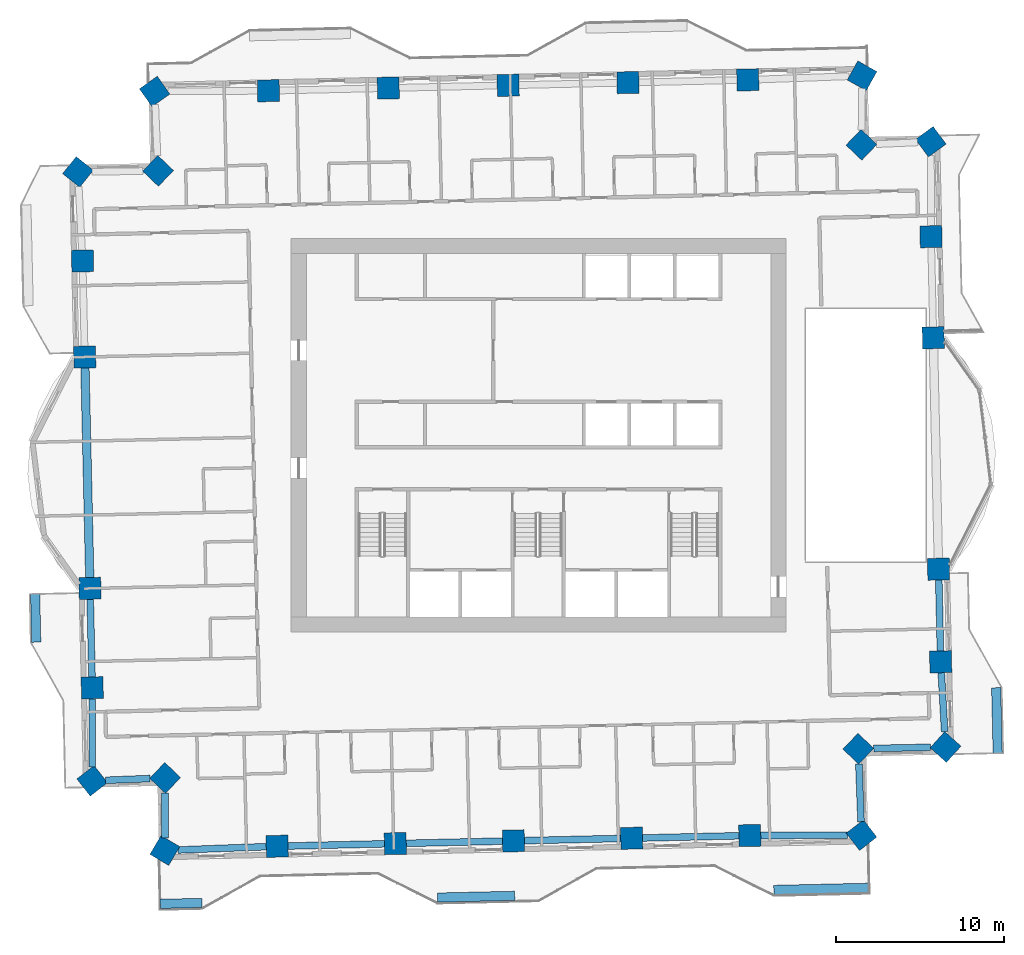
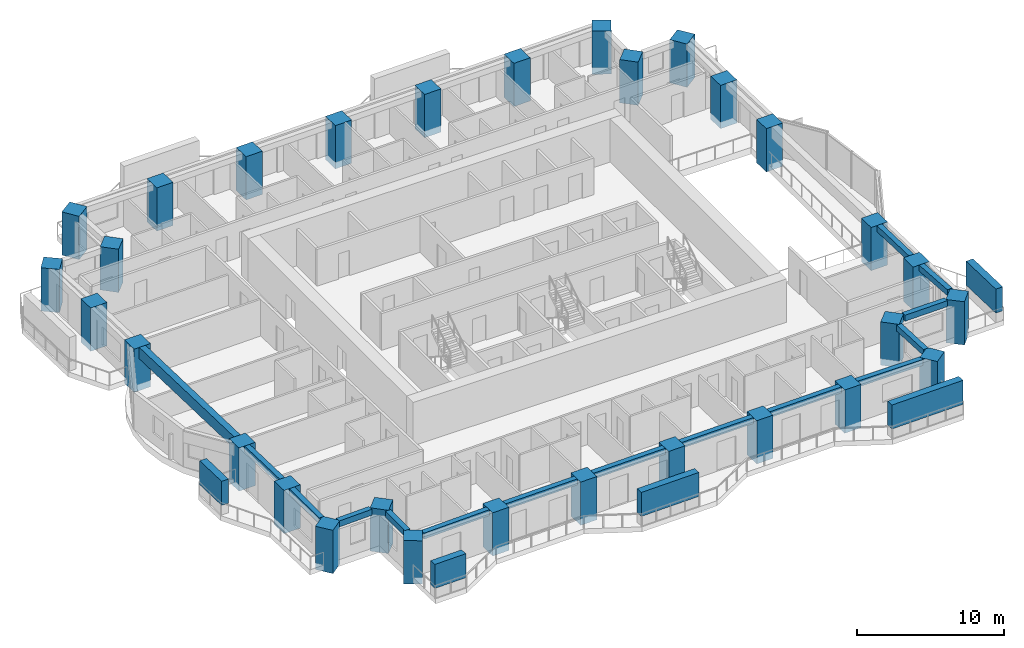
# One storey, part 1 of 16: 30 columns, 15 beams, 5 members.
"""IFC4 building model written with IfcOpenShell, lengths in metres."""

from ifc_helpers import new_model, si_unit, direction, frame, origin, origin_2d, place, context, subcontext, project, spatial, rectangle, extrude, material, material_profile, profile_set, type_object, element, save


model = new_model("IFC4")

# Units and contexts
model_context = context("Model", 3, precision=1e-05, world=origin(), true_north=direction((0.0, 1.0)))
body_context = subcontext(model_context, "Body", "Model", "MODEL_VIEW")
ifc_project = project(units=[si_unit("LENGTHUNIT", "METRE"), si_unit("AREAUNIT", "SQUARE_METRE"), si_unit("VOLUMEUNIT", "CUBIC_METRE"), si_unit("PLANEANGLEUNIT", "RADIAN"), si_unit("MASSUNIT", "GRAM", prefix="KILO")], contexts=[model_context])

# Site, building, storey
site_placement = place(None, origin())
site = spatial("IfcSite", under=ifc_project, at=site_placement, CompositionType="ELEMENT")
building_placement = place(site_placement, origin())
building = spatial("IfcBuilding", under=site, at=building_placement, Name="Mangrove Gate Tower", CompositionType="ELEMENT")
storey_placement = place(building_placement, frame((0.0, 0.0, 140.89990234375)))
storey = spatial("IfcBuildingStorey", under=building, at=storey_placement, Name="L35", CompositionType="ELEMENT", Elevation=140.89990234375)

# Columns
ifc_material_1 = material(Name="Concrete C70/85", Category="concrete")
ifc_material_profile_1 = material_profile(ifc_material_1, rectangle(XDim=1.300048828125, YDim=1.300048828125, at=origin_2d()))
ifc_profile_set_1 = profile_set([ifc_material_profile_1], Name="Concrete C70/85")
column_type = type_object("IfcColumnType", Name="Column RC 1300x1300 C70/85", PredefinedType="COLUMN", material=ifc_profile_set_1)
for number, where, z_axis, x_axis, name in (
    (1, (-26.6591796875, -9.09619140625, -0.5498046875), (0.0, 0.0, 1.0), (0.02268213383, -0.999742727308, 0.0), "Column L35 W05"),
    (2, (-26.525146484375, -15.00634765625, -0.5498046875), (0.0, 0.0, 1.0), (0.022665697055, -0.99974310009, 0.0), "Column L35 W06"),
    (3, (-26.528564453125, -20.5322265625, -0.5498046875), (0.0, 0.0, 1.0), (0.61506722308, -0.788474673717, 0.0), "Column L35 W07"),
    (4, (-22.19287109375, -20.362060546875, -0.5498046875), (0.0, 0.0, 1.0), (0.722994264183, -0.690854032309, 0.0), "Column L35 W08"),
    (5, (-22.20947265625, -24.67236328125, -0.5498046875), (0.0, 0.0, 1.0), (0.859255009234, -0.511547484704, 0.0), "Column L35 S01"),
    (6, (-15.53466796875, -24.422119140625, -0.5498046875), (0.0, 0.0, 1.0), (0.999742129581, 0.022708464065, 0.0), "Column L35 S02"),
    (7, (-8.5126953125, -24.26220703125, -0.5498046875), (0.0, 0.0, 1.0), (0.999742129581, 0.022708464065, 0.0), "Column L35 S03"),
    (8, (-1.49072265625, -24.103271484375, -0.5498046875), (0.0, 0.0, 1.0), (0.999743742918, 0.022637325283, 0.0), "Column L35 S04"),
    (9, (5.53125, -23.944091796875, -0.5498046875), (0.0, 0.0, 1.0), (0.999742166043, 0.022706858776, 0.0), "Column L35 S05"),
    (10, (12.55419921875, -23.7841796875, -0.5498046875), (0.0, 0.0, 1.0), (0.999742166043, 0.022706858776, 0.0), "Column L35 S06"),
    (11, (19.1923828125, -23.761474609375, -0.5498046875), (0.0, 0.0, 1.0), (0.790004884924, 0.613100547868, 0.0), "Column L35 S07"),
    (12, (19.0029296875, -18.626953125, -0.5498046875), (0.0, 0.0, 1.0), (0.690808805786, 0.723037477485, 0.0), "Column L35 E01"),
    (13, (24.188232421875, -18.522705078125, -0.5498046875), (0.0, 0.0, 1.0), (0.6695332885, 0.742782051204, 0.0), "Column L35 E02"),
    (14, (23.896240234375, -13.462646484375, -0.5498046875), (0.0, 0.0, 1.0), (-0.022678138054, 0.999742817956, 0.0), "Column L35 E03"),
    (15, (23.771240234375, -7.95166015625, -0.5498046875), (0.0, 0.0, 1.0), (-0.022684855843, 0.999742665547, 0.0), "Column L35 E04"),
    (16, (23.459228515625, 5.79638671875, -0.5498046875), (0.0, 0.0, 1.0), (-0.022668541211, 0.999743035604, 0.0), "Column L35 E05"),
    (17, (23.3232421875, 11.806396484375, -0.5498046875), (0.0, 0.0, 1.0), (-0.022621272366, 0.999744106277, 0.0), "Column L35 E06"),
    (18, (23.312744140625, 17.44775390625, -0.5498046875), (0.0, 0.0, 1.0), (-0.591062165958, 0.806626007498, 0.0), "Column L35 E07"),
    (19, (19.18896484375, 17.26708984375, -0.5498046875), (0.0, 0.0, 1.0), (-0.723000027728, 0.69084800058, 0.0), "Column L35 E08"),
    (20, (19.224609375, 21.36865234375, -0.5498046875), (0.0, 0.0, 1.0), (-0.872767754736, 0.488135684307, 0.0), "Column L35 N01"),
    (21, (12.434814453125, 21.124267578125, -0.5498046875), (0.0, 0.0, 1.0), (-0.999741400599, -0.022740534932, 0.0), "Column L35 N02"),
    (22, (5.312744140625, 20.962158203125, -0.5498046875), (0.0, 0.0, 1.0), (-0.999742993665, -0.022670390785, 0.0), "Column L35 N03"),
    (23, (-1.809326171875, 20.80126953125, -0.5498046875), (0.0, 0.0, 1.0), (-0.999742993665, -0.022670390785, 0.0), "Column L35 N04"),
    (24, (-8.93115234375, 20.63916015625, -0.5498046875), (0.0, 0.0, 1.0), (-0.999742993665, -0.022670390785, 0.0), "Column L35 N05"),
    (25, (-16.05322265625, 20.478271484375, -0.5498046875), (0.0, 0.0, 1.0), (-0.99974302967, -0.022668802943, 0.0), "Column L35 N06"),
    (26, (-22.815673828125, 20.435302734375, -0.5498046875), (0.0, 0.0, 1.0), (-0.816422336204, -0.577455252766, 0.0), "Column L35 N07"),
    (27, (-22.612060546875, 15.718017578125, -0.5498046875), (0.0, 0.0, 1.0), (-0.690868038859, -0.722980880026, 0.0), "Column L35 W01"),
    (28, (-27.3740234375, 15.6513671875, -0.5498046875), (0.0, 0.0, 1.0), (-0.625756852506, -0.780018180264, 0.0), "Column L35 W02"),
    (29, (-27.10107421875, 10.36181640625, -0.5498046875), (0.0, 0.0, 1.0), (0.022759187673, -0.999740976142, 0.0), "Column L35 W03"),
    (30, (-26.97119140625, 4.65185546875, -0.5498046875), (0.0, 0.0, 1.0), (0.022709737827, -0.999742100648, 0.0), "Column L35 W04"),
):
    element("IfcColumn", number, at=place(storey_placement, frame(where, z_axis=z_axis, x_axis=x_axis)), inside=storey, type_object=column_type, Name=name, PredefinedType="COLUMN", context=body_context, shape_type="SweptSolid", body=[
        extrude(rectangle(XDim=1.300048828125, YDim=1.300048828125, at=origin_2d()), origin(), (0.0, 0.0, 1.0), 3.599853515625),
    ])

# Members
ifc_material_2 = material(Name="Planting on aluminium trellis", Category="aluminium")
ifc_material_profile_2 = material_profile(ifc_material_2, rectangle(XDim=0.550048828125, YDim=2.0, at=origin_2d()))
ifc_profile_set_2 = profile_set([ifc_material_profile_2], Name="Planting on aluminium trellis")
member_type = type_object("IfcMemberType", Name="Balcony greenery screen 550x2000", PredefinedType="USERDEFINED", material=ifc_profile_set_2)
member_1_placement = place(storey_placement, frame((27.285888671875, -18.89892578125, 1.800048828125), z_axis=(-0.022786818173, 0.999740346749, 0.0), x_axis=(-0.999740346749, -0.022786818173, 0.0)))
element("IfcMember", 31, at=member_1_placement, inside=storey, type_object=member_type, Name="GREEN SCREEN L35 E0.1", ObjectType="PLANTING", PredefinedType="USERDEFINED", context=body_context, shape_type="SweptSolid", body=[
    extrude(rectangle(XDim=0.550048828125, YDim=2.0, at=origin_2d()), origin(), (0.0, 0.0, 1.0), 3.89990234375),
])
member_2_placement = place(storey_placement, frame((-29.85302734375, -12.2939453125, 1.800048828125), z_axis=(-0.022590224177, 0.999744808324, 0.0), x_axis=(-0.999744808324, -0.022590224177, 0.0)))
element("IfcMember", 32, at=member_2_placement, inside=storey, type_object=member_type, Name="GREEN SCREEN L35 W1.1", ObjectType="PLANTING", PredefinedType="USERDEFINED", context=body_context, shape_type="SweptSolid", body=[
    extrude(rectangle(XDim=0.550048828125, YDim=2.0, at=origin_2d()), origin(), (0.0, 0.0, 1.0), 2.874755859375),
])
member_3_placement = place(storey_placement, frame((-22.48291015625, -27.844970703125, 1.800048828125), z_axis=(0.99974432732, 0.022611501329, 0.0), x_axis=(-0.022611501329, 0.99974432732, 0.0)))
element("IfcMember", 33, at=member_3_placement, inside=storey, type_object=member_type, Name="GREEN SCREEN L35 S0.1", ObjectType="PLANTING", PredefinedType="USERDEFINED", context=body_context, shape_type="SweptSolid", body=[
    extrude(rectangle(XDim=0.550048828125, YDim=2.0, at=origin_2d()), origin(), (0.0, 0.0, 1.0), 2.47265625),
])
member_4_placement = place(storey_placement, frame((-6.014892578125, -27.471923828125, 1.800048828125), z_axis=(0.999739556364, 0.022821468877, 0.0), x_axis=(-0.022821468877, 0.999739556364, 0.0)))
element("IfcMember", 34, at=member_4_placement, inside=storey, type_object=member_type, Name="GREEN SCREEN L35 S0.2", ObjectType="PLANTING", PredefinedType="USERDEFINED", context=body_context, shape_type="SweptSolid", body=[
    extrude(rectangle(XDim=0.550048828125, YDim=2.0, at=origin_2d()), origin(), (0.0, 0.0, 1.0), 4.60009765625),
])
member_5_placement = place(storey_placement, frame((13.97998046875, -27.01806640625, 1.800048828125), z_axis=(0.999740678608, 0.022772253659, 0.0), x_axis=(-0.022772253659, 0.999740678608, 0.0)))
element("IfcMember", 35, at=member_5_placement, inside=storey, type_object=member_type, Name="GREEN SCREEN L35 S1.1", ObjectType="PLANTING", PredefinedType="USERDEFINED", context=body_context, shape_type="SweptSolid", body=[
    extrude(rectangle(XDim=0.550048828125, YDim=2.0, at=origin_2d()), origin(), (0.0, 0.0, 1.0), 5.67138671875),
])

# Beams
ifc_material_3 = material(Name="Concrete C50/60", Category="concrete")
ifc_material_profile_3 = material_profile(ifc_material_3, rectangle(XDim=0.39990234375, YDim=0.5, at=origin_2d()))
ifc_profile_set_3 = profile_set([ifc_material_profile_3], Name="Concrete C50/60")
beam_type_1 = type_object("IfcBeamType", Name="Edge beam RC 400x500 C50/60", PredefinedType="BEAM", material=ifc_profile_set_3)
beam_1_placement = place(storey_placement, frame((-26.64453125, -9.74609375, 2.800048828125), z_axis=(0.022711784645, -0.999742054151, 0.0), x_axis=(0.999742054151, 0.022711784645, 0.0)))
element("IfcBeam", 36, at=beam_1_placement, inside=storey, type_object=beam_type_1, Name="Edge beam L35 00", PredefinedType="BEAM", context=body_context, shape_type="SweptSolid", body=[
    extrude(rectangle(XDim=0.39990234375, YDim=0.5, at=origin_2d()), origin(), (0.0, 0.0, 1.0), 4.611572265625),
])
beam_2_placement = place(storey_placement, frame((-26.525634765625, -15.656494140625, 2.800048828125), z_axis=(-0.000602663664, -0.999999818398, 0.0), x_axis=(0.999999818398, -0.000602663664, 0.0)))
element("IfcBeam", 37, at=beam_2_placement, inside=storey, type_object=beam_type_1, Name="Edge beam L35 01", PredefinedType="BEAM", context=body_context, shape_type="SweptSolid", body=[
    extrude(rectangle(XDim=0.39990234375, YDim=0.5, at=origin_2d()), origin(), (0.0, 0.0, 1.0), 4.051025390625),
])
beam_3_placement = place(storey_placement, frame((-25.728515625, -20.500732421875, 2.800048828125), z_axis=(0.999231025302, 0.039209158043, 0.0), x_axis=(-0.039209158043, 0.999231025302, 0.0)))
element("IfcBeam", 38, at=beam_3_placement, inside=storey, type_object=beam_type_1, Name="Edge beam L35 02", PredefinedType="BEAM", context=body_context, shape_type="SweptSolid", body=[
    extrude(rectangle(XDim=0.39990234375, YDim=0.5, at=origin_2d()), origin(), (0.0, 0.0, 1.0), 2.6337890625),
])
beam_4_placement = place(storey_placement, frame((-22.1962890625, -21.2578125, 2.800048828125), z_axis=(-0.003854950704, -0.99999256965, 0.0), x_axis=(0.99999256965, -0.003854950704, 0.0)))
element("IfcBeam", 39, at=beam_4_placement, inside=storey, type_object=beam_type_1, Name="Edge beam L35 03", PredefinedType="BEAM", context=body_context, shape_type="SweptSolid", body=[
    extrude(rectangle(XDim=0.39990234375, YDim=0.5, at=origin_2d()), origin(), (0.0, 0.0, 1.0), 2.659912109375),
])
beam_5_placement = place(storey_placement, frame((-21.435791015625, -24.6435546875, 2.800048828125), z_axis=(0.999296963169, 0.037491057614, 0.0), x_axis=(-0.037491057614, 0.999296963169, 0.0)))
element("IfcBeam", 40, at=beam_5_placement, inside=storey, type_object=beam_type_1, Name="Edge beam L35 04", PredefinedType="BEAM", context=body_context, shape_type="SweptSolid", body=[
    extrude(rectangle(XDim=0.39990234375, YDim=0.5, at=origin_2d()), origin(), (0.0, 0.0, 1.0), 5.255126953125),
])
for number, where, z_axis, x_axis, name in (
    (41, (-14.885009765625, -24.407470703125, 2.800048828125), (0.999739606731, 0.022819262324, 0.0), (-0.022819262324, 0.999739606731, 0.0), "Edge beam L35 05"),
    (42, (-7.863037109375, -24.24755859375, 2.800048828125), (0.999743484414, 0.022648738864, 0.0), (-0.022648738864, 0.999743484414, 0.0), "Edge beam L35 06"),
):
    element("IfcBeam", number, at=place(storey_placement, frame(where, z_axis=z_axis, x_axis=x_axis)), inside=storey, type_object=beam_type_1, Name=name, PredefinedType="BEAM", context=body_context, shape_type="SweptSolid", body=[
        extrude(rectangle(XDim=0.39990234375, YDim=0.5, at=origin_2d()), origin(), (0.0, 0.0, 1.0), 5.723876953125),
    ])
beam_6_placement = place(storey_placement, frame((-0.8408203125, -24.08837890625, 2.800048828125), z_axis=(0.999744427496, 0.022607071703, 0.0), x_axis=(-0.022607071703, 0.999744427496, 0.0)))
element("IfcBeam", 43, at=beam_6_placement, inside=storey, type_object=beam_type_1, Name="Edge beam L35 07", PredefinedType="BEAM", context=body_context, shape_type="SweptSolid", body=[
    extrude(rectangle(XDim=0.39990234375, YDim=0.5, at=origin_2d()), origin(), (0.0, 0.0, 1.0), 5.7236328125),
])
beam_7_placement = place(storey_placement, frame((6.18115234375, -23.929443359375, 2.800048828125), z_axis=(0.999740645245, 0.022773718307, 0.0), x_axis=(-0.022773718307, 0.999740645245, 0.0)))
element("IfcBeam", 44, at=beam_7_placement, inside=storey, type_object=beam_type_1, Name="Edge beam L35 08", PredefinedType="BEAM", context=body_context, shape_type="SweptSolid", body=[
    extrude(rectangle(XDim=0.39990234375, YDim=0.5, at=origin_2d()), origin(), (0.0, 0.0, 1.0), 5.724609375),
])
beam_8_placement = place(storey_placement, frame((13.204345703125, -23.781982421875, 2.800048828125), z_axis=(0.99999421433, 0.003401662262, 0.0), x_axis=(-0.003401662262, 0.99999421433, 0.0)))
element("IfcBeam", 45, at=beam_8_placement, inside=storey, type_object=beam_type_1, Name="Edge beam L35 09", PredefinedType="BEAM", context=body_context, shape_type="SweptSolid", body=[
    extrude(rectangle(XDim=0.39990234375, YDim=0.5, at=origin_2d()), origin(), (0.0, 0.0, 1.0), 5.16748046875),
])
beam_9_placement = place(storey_placement, frame((19.1630859375, -22.961669921875, 2.800048828125), z_axis=(-0.036930074428, 0.999317852139, 0.0), x_axis=(-0.999317852139, -0.036930074428, 0.0)))
element("IfcBeam", 46, at=beam_9_placement, inside=storey, type_object=beam_type_1, Name="Edge beam L35 10", PredefinedType="BEAM", context=body_context, shape_type="SweptSolid", body=[
    extrude(rectangle(XDim=0.39990234375, YDim=0.5, at=origin_2d()), origin(), (0.0, 0.0, 1.0), 3.43115234375),
])
beam_10_placement = place(storey_placement, frame((19.919677734375, -18.608642578125, 2.800048828125), z_axis=(0.999798119062, 0.020092812629, 0.0), x_axis=(-0.020092812629, 0.999798119062, 0.0)))
element("IfcBeam", 47, at=beam_10_placement, inside=storey, type_object=beam_type_1, Name="Edge beam L35 11", PredefinedType="BEAM", context=body_context, shape_type="SweptSolid", body=[
    extrude(rectangle(XDim=0.39990234375, YDim=0.5, at=origin_2d()), origin(), (0.0, 0.0, 1.0), 3.3779296875),
])
beam_11_placement = place(storey_placement, frame((24.135498046875, -17.6103515625, 2.800048828125), z_axis=(-0.0576192371, 0.998338631686, 0.0), x_axis=(-0.998338631686, -0.0576192371, 0.0)))
element("IfcBeam", 48, at=beam_11_placement, inside=storey, type_object=beam_type_1, Name="Edge beam L35 12", PredefinedType="BEAM", context=body_context, shape_type="SweptSolid", body=[
    extrude(rectangle(XDim=0.39990234375, YDim=0.5, at=origin_2d()), origin(), (0.0, 0.0, 1.0), 3.504150390625),
])
beam_12_placement = place(storey_placement, frame((23.88134765625, -12.81298828125, 2.800048828125), z_axis=(-0.022660846095, 0.999743210057, 0.0), x_axis=(-0.999743210057, -0.022660846095, 0.0)))
element("IfcBeam", 49, at=beam_12_placement, inside=storey, type_object=beam_type_1, Name="Edge beam L35 13", PredefinedType="BEAM", context=body_context, shape_type="SweptSolid", body=[
    extrude(rectangle(XDim=0.39990234375, YDim=0.5, at=origin_2d()), origin(), (0.0, 0.0, 1.0), 4.21240234375),
])
ifc_material_4 = material(Name="Concrete C50/60", Category="concrete")
ifc_material_profile_4 = material_profile(ifc_material_4, rectangle(XDim=0.5, YDim=0.949951171875, at=origin_2d()))
ifc_profile_set_4 = profile_set([ifc_material_profile_4], Name="Concrete C50/60")
beam_type_2 = type_object("IfcBeamType", Name="Edge beam RC 500x950 C50/60", PredefinedType="BEAM", material=ifc_profile_set_4)
beam_13_placement = place(storey_placement, frame((-26.95654296875, 4.001953125, 2.5751953125), z_axis=(0.022704926143, -0.999742209937, 0.0), x_axis=(0.999742209937, 0.022704926143, 0.0)))
element("IfcBeam", 50, at=beam_13_placement, inside=storey, type_object=beam_type_2, Name="Edge beam L35 29", PredefinedType="BEAM", context=body_context, shape_type="SweptSolid", body=[
    extrude(rectangle(XDim=0.5, YDim=0.949951171875, at=origin_2d()), origin(), (0.0, 0.0, 1.0), 12.45166015625),
])

save(model, "model.ifc")
